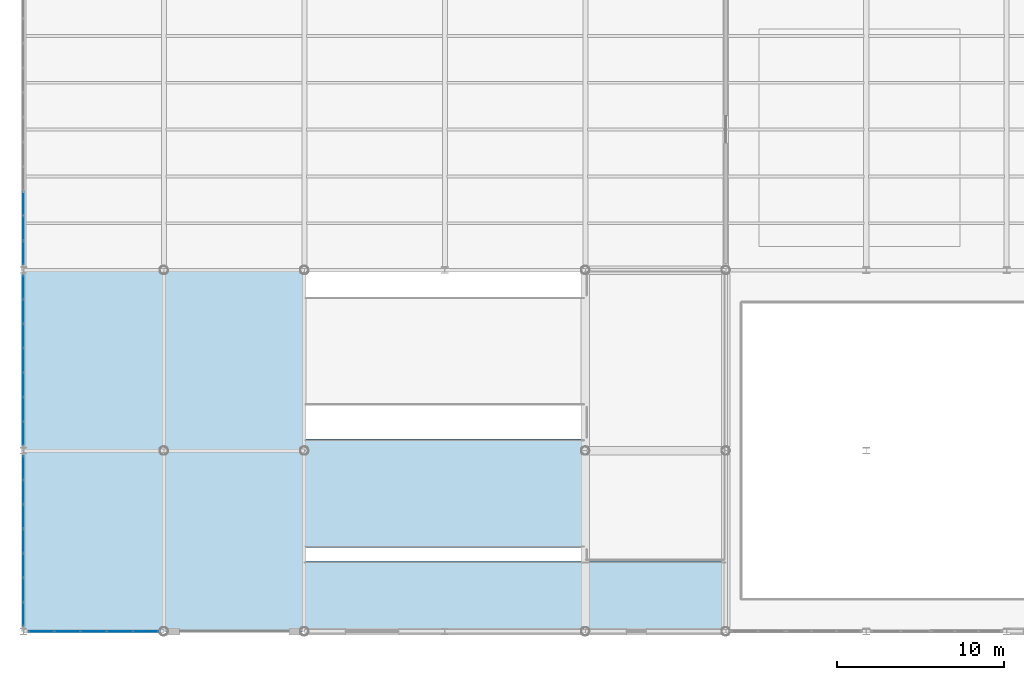
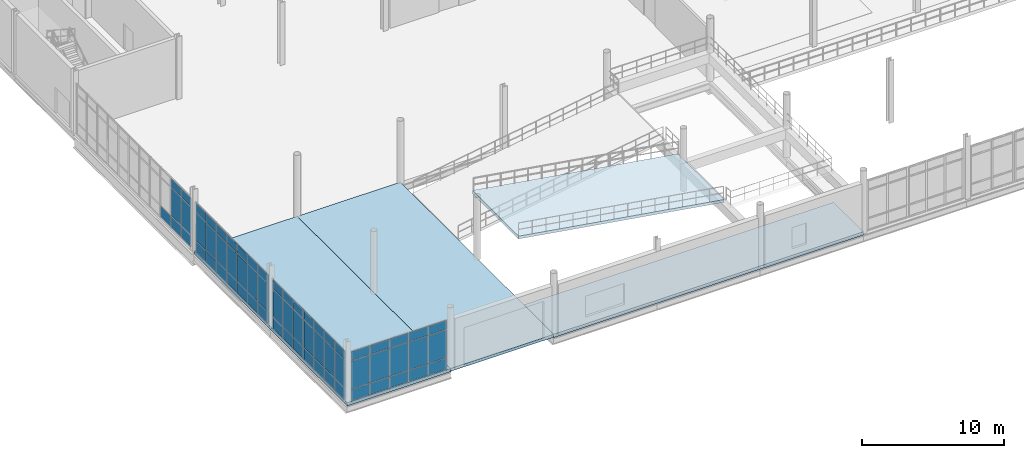
# One storey, part 76 of 111: 64 plates, 4 slabs, 4 elements without a shape of their own.
"""IFC4 building model written with IfcOpenShell, lengths in metres."""

from ifc_helpers import new_model, si_unit, direction, frame, origin, origin_2d, place, context, subcontext, project, spatial, polyline, rectangle, outline, extrude, material, layer, layer_set, type_object, element, aggregate, save


model = new_model("IFC4")

# Units and contexts
model_context = context("Model", 3, precision=1e-05, world=origin(), true_north=direction((0.0, 1.0)))
body_context = subcontext(model_context, "Body", "Model", "MODEL_VIEW")
ifc_project = project(units=[si_unit("LENGTHUNIT", "METRE"), si_unit("AREAUNIT", "SQUARE_METRE"), si_unit("VOLUMEUNIT", "CUBIC_METRE"), si_unit("PLANEANGLEUNIT", "RADIAN"), si_unit("MASSUNIT", "GRAM", prefix="KILO"), si_unit("THERMODYNAMICTEMPERATUREUNIT", "KELVIN"), si_unit("POWERUNIT", "WATT")], contexts=[model_context])

# Site, building, storey
site_placement = place(None, origin())
site = spatial("IfcSite", under=ifc_project, at=site_placement, CompositionType="ELEMENT")
building_placement = place(site_placement, origin())
building = spatial("IfcBuilding", under=site, at=building_placement, Name="Tembeka Court Mobility Hub", CompositionType="ELEMENT")
storey_placement = place(building_placement, origin())
storey = spatial("IfcBuildingStorey", under=building, at=storey_placement, Name="L00", CompositionType="ELEMENT", Elevation=0.0)

# Curtain wall, plates
ifc_material_1 = material(Name="Anodised aluminium 6063-T6", Category="aluminium")
ifc_layer_1 = layer(ifc_material_1, 0.159912109375)
ifc_layer_set_1 = layer_set([ifc_layer_1], Name="Anodised aluminium 6063-T6")
curtain_wall_type_1 = type_object("IfcCurtainWallType", Name="CW-SYS01", PredefinedType="USERDEFINED", material=ifc_layer_set_1)
curtain_wall_1_placement = place(storey_placement, origin())
curtain_wall_1 = element("IfcCurtainWall", 1, at=curtain_wall_1_placement, inside=storey, type_object=curtain_wall_type_1, Name="Unitised curtain wall CW01 (CW-L00-001)", ObjectType="UNITISED GLAZING", PredefinedType="USERDEFINED")
ifc_material_2 = material(Name="Laminated solar-control low-E glass", Category="glass")
ifc_layer_2 = layer(ifc_material_2, 0.028076171875)
ifc_layer_set_2 = layer_set([ifc_layer_2], Name="Laminated solar-control low-E glass")
plate_type_1 = type_object("IfcPlateType", Name="PL-CW01", PredefinedType="CURTAIN_PANEL", material=ifc_layer_set_2)
plate_1_placement = place(storey_placement, frame((1.080322265625, 0.0, 0.06494140625), z_axis=(0.0, 0.0, 1.0), x_axis=(1.0, 0.0, 0.0)))
plate_1 = element("IfcPlate", 2, at=plate_1_placement, type_object=plate_type_1, Name="CW01 panel 1.1", PredefinedType="CURTAIN_PANEL", context=body_context, shape_type="SweptSolid", body=[
    extrude(rectangle(XDim=1.470458984375, YDim=0.028076171875, at=origin_2d()), origin(), (0.0, 0.0, 1.0), 0.952392578125),
])
plate_2_placement = place(storey_placement, frame((1.080322265625, 0.0, 1.08251953125), z_axis=(0.0, 0.0, 1.0), x_axis=(1.0, 0.0, 0.0)))
plate_2 = element("IfcPlate", 3, at=plate_2_placement, type_object=plate_type_1, Name="CW01 panel 1.2", PredefinedType="CURTAIN_PANEL", context=body_context, shape_type="SweptSolid", body=[
    extrude(rectangle(XDim=1.470458984375, YDim=0.028076171875, at=origin_2d()), origin(), (0.0, 0.0, 1.0), 2.3701171875),
])
plate_3_placement = place(storey_placement, frame((1.080322265625, 0.0, 3.517578125), z_axis=(0.0, 0.0, 1.0), x_axis=(1.0, 0.0, 0.0)))
plate_3 = element("IfcPlate", 4, at=plate_3_placement, type_object=plate_type_1, Name="CW01 panel 1.3", PredefinedType="CURTAIN_PANEL", context=body_context, shape_type="SweptSolid", body=[
    extrude(rectangle(XDim=1.470458984375, YDim=0.028076171875, at=origin_2d()), origin(), (0.0, 0.0, 1.0), 0.75244140625),
])
plate_4_placement = place(storey_placement, frame((2.632080078125, 0.0, 0.06494140625), z_axis=(0.0, 0.0, 1.0), x_axis=(1.0, 0.0, 0.0)))
plate_4 = element("IfcPlate", 5, at=plate_4_placement, type_object=plate_type_1, Name="CW01 panel 2.1", PredefinedType="CURTAIN_PANEL", context=body_context, shape_type="SweptSolid", body=[
    extrude(rectangle(XDim=1.5029296875, YDim=0.028076171875, at=origin_2d()), origin(), (0.0, 0.0, 1.0), 0.952392578125),
])
plate_5_placement = place(storey_placement, frame((2.632080078125, 0.0, 1.08251953125), z_axis=(0.0, 0.0, 1.0), x_axis=(1.0, 0.0, 0.0)))
plate_5 = element("IfcPlate", 6, at=plate_5_placement, type_object=plate_type_1, Name="CW01 panel 2.2", PredefinedType="CURTAIN_PANEL", context=body_context, shape_type="SweptSolid", body=[
    extrude(rectangle(XDim=1.5029296875, YDim=0.028076171875, at=origin_2d()), origin(), (0.0, 0.0, 1.0), 2.3701171875),
])
plate_6_placement = place(storey_placement, frame((2.632080078125, 0.0, 3.517578125), z_axis=(0.0, 0.0, 1.0), x_axis=(1.0, 0.0, 0.0)))
plate_6 = element("IfcPlate", 7, at=plate_6_placement, type_object=plate_type_1, Name="CW01 panel 2.3", PredefinedType="CURTAIN_PANEL", context=body_context, shape_type="SweptSolid", body=[
    extrude(rectangle(XDim=1.5029296875, YDim=0.028076171875, at=origin_2d()), origin(), (0.0, 0.0, 1.0), 0.75244140625),
])
plate_7_placement = place(storey_placement, frame((4.199951171875, 0.0, 0.06494140625), z_axis=(0.0, 0.0, 1.0), x_axis=(1.0, 0.0, 0.0)))
plate_7 = element("IfcPlate", 8, at=plate_7_placement, type_object=plate_type_1, Name="CW01 panel 3.1", PredefinedType="CURTAIN_PANEL", context=body_context, shape_type="SweptSolid", body=[
    extrude(rectangle(XDim=1.5029296875, YDim=0.028076171875, at=origin_2d()), origin(), (0.0, 0.0, 1.0), 0.952392578125),
])
plate_8_placement = place(storey_placement, frame((4.199951171875, 0.0, 1.08251953125), z_axis=(0.0, 0.0, 1.0), x_axis=(1.0, 0.0, 0.0)))
plate_8 = element("IfcPlate", 9, at=plate_8_placement, type_object=plate_type_1, Name="CW01 panel 3.2", PredefinedType="CURTAIN_PANEL", context=body_context, shape_type="SweptSolid", body=[
    extrude(rectangle(XDim=1.5029296875, YDim=0.028076171875, at=origin_2d()), origin(), (0.0, 0.0, 1.0), 2.3701171875),
])
plate_9_placement = place(storey_placement, frame((4.199951171875, 0.0, 3.517578125), z_axis=(0.0, 0.0, 1.0), x_axis=(1.0, 0.0, 0.0)))
plate_9 = element("IfcPlate", 10, at=plate_9_placement, type_object=plate_type_1, Name="CW01 panel 3.3", PredefinedType="CURTAIN_PANEL", context=body_context, shape_type="SweptSolid", body=[
    extrude(rectangle(XDim=1.5029296875, YDim=0.028076171875, at=origin_2d()), origin(), (0.0, 0.0, 1.0), 0.75244140625),
])
plate_10_placement = place(storey_placement, frame((5.76806640625, 0.0, 0.06494140625), z_axis=(0.0, 0.0, 1.0), x_axis=(1.0, 0.0, 0.0)))
plate_10 = element("IfcPlate", 11, at=plate_10_placement, type_object=plate_type_1, Name="CW01 panel 4.1", PredefinedType="CURTAIN_PANEL", context=body_context, shape_type="SweptSolid", body=[
    extrude(rectangle(XDim=1.5029296875, YDim=0.028076171875, at=origin_2d()), origin(), (0.0, 0.0, 1.0), 0.952392578125),
])
plate_11_placement = place(storey_placement, frame((5.76806640625, 0.0, 1.08251953125), z_axis=(0.0, 0.0, 1.0), x_axis=(1.0, 0.0, 0.0)))
plate_11 = element("IfcPlate", 12, at=plate_11_placement, type_object=plate_type_1, Name="CW01 panel 4.2", PredefinedType="CURTAIN_PANEL", context=body_context, shape_type="SweptSolid", body=[
    extrude(rectangle(XDim=1.5029296875, YDim=0.028076171875, at=origin_2d()), origin(), (0.0, 0.0, 1.0), 2.3701171875),
])
plate_12_placement = place(storey_placement, frame((5.76806640625, 0.0, 3.517578125), z_axis=(0.0, 0.0, 1.0), x_axis=(1.0, 0.0, 0.0)))
plate_12 = element("IfcPlate", 13, at=plate_12_placement, type_object=plate_type_1, Name="CW01 panel 4.3", PredefinedType="CURTAIN_PANEL", context=body_context, shape_type="SweptSolid", body=[
    extrude(rectangle(XDim=1.5029296875, YDim=0.028076171875, at=origin_2d()), origin(), (0.0, 0.0, 1.0), 0.75244140625),
])
plate_13_placement = place(storey_placement, frame((7.31982421875, 0.0, 0.06494140625), z_axis=(0.0, 0.0, 1.0), x_axis=(1.0, 0.0, 0.0)))
plate_13 = element("IfcPlate", 14, at=plate_13_placement, type_object=plate_type_1, Name="CW01 panel 5.1", PredefinedType="CURTAIN_PANEL", context=body_context, shape_type="SweptSolid", body=[
    extrude(rectangle(XDim=1.470458984375, YDim=0.028076171875, at=origin_2d()), origin(), (0.0, 0.0, 1.0), 0.952392578125),
])
plate_14_placement = place(storey_placement, frame((7.31982421875, 0.0, 1.08251953125), z_axis=(0.0, 0.0, 1.0), x_axis=(1.0, 0.0, 0.0)))
plate_14 = element("IfcPlate", 15, at=plate_14_placement, type_object=plate_type_1, Name="CW01 panel 5.2", PredefinedType="CURTAIN_PANEL", context=body_context, shape_type="SweptSolid", body=[
    extrude(rectangle(XDim=1.470458984375, YDim=0.028076171875, at=origin_2d()), origin(), (0.0, 0.0, 1.0), 2.3701171875),
])
plate_15_placement = place(storey_placement, frame((7.31982421875, 0.0, 3.517578125), z_axis=(0.0, 0.0, 1.0), x_axis=(1.0, 0.0, 0.0)))
plate_15 = element("IfcPlate", 16, at=plate_15_placement, type_object=plate_type_1, Name="CW01 panel 5.3", PredefinedType="CURTAIN_PANEL", context=body_context, shape_type="SweptSolid", body=[
    extrude(rectangle(XDim=1.470458984375, YDim=0.028076171875, at=origin_2d()), origin(), (0.0, 0.0, 1.0), 0.75244140625),
])
aggregate(curtain_wall_1, [plate_1, plate_2, plate_3, plate_4, plate_5, plate_6, plate_7, plate_8, plate_9, plate_10, plate_11, plate_12, plate_13, plate_14, plate_15])

ifc_layer_3 = layer(ifc_material_1, 0.159912109375)
ifc_layer_set_3 = layer_set([ifc_layer_3], Name="Anodised aluminium 6063-T6")
curtain_wall_type_2 = type_object("IfcCurtainWallType", Name="CW-SYS18", PredefinedType="USERDEFINED", material=ifc_layer_set_3)
curtain_wall_2_placement = place(storey_placement, origin())
curtain_wall_2 = element("IfcCurtainWall", 17, at=curtain_wall_2_placement, inside=storey, type_object=curtain_wall_type_2, Name="Unitised curtain wall CW18 (CW-L00-022)", ObjectType="UNITISED GLAZING", PredefinedType="USERDEFINED")
plate_16_placement = place(storey_placement, frame((0.0, 1.027587890625, 0.06494140625), z_axis=(0.0, 0.0, 1.0), x_axis=(0.0, 1.0, 0.0)))
plate_16 = element("IfcPlate", 18, at=plate_16_placement, type_object=plate_type_1, Name="CW18 panel 1.1", PredefinedType="CURTAIN_PANEL", context=body_context, shape_type="SweptSolid", body=[
    extrude(rectangle(XDim=1.365478515625, YDim=0.028076171875, at=origin_2d()), origin(), (0.0, 0.0, 1.0), 0.952392578125),
])
plate_17_placement = place(storey_placement, frame((0.0, 1.027587890625, 1.08251953125), z_axis=(0.0, 0.0, 1.0), x_axis=(0.0, 1.0, 0.0)))
plate_17 = element("IfcPlate", 19, at=plate_17_placement, type_object=plate_type_1, Name="CW18 panel 1.2", PredefinedType="CURTAIN_PANEL", context=body_context, shape_type="SweptSolid", body=[
    extrude(rectangle(XDim=1.365478515625, YDim=0.028076171875, at=origin_2d()), origin(), (0.0, 0.0, 1.0), 2.3701171875),
])
plate_18_placement = place(storey_placement, frame((0.0, 1.027587890625, 3.517578125), z_axis=(0.0, 0.0, 1.0), x_axis=(0.0, 1.0, 0.0)))
plate_18 = element("IfcPlate", 20, at=plate_18_placement, type_object=plate_type_1, Name="CW18 panel 1.3", PredefinedType="CURTAIN_PANEL", context=body_context, shape_type="SweptSolid", body=[
    extrude(rectangle(XDim=1.365478515625, YDim=0.028076171875, at=origin_2d()), origin(), (0.0, 0.0, 1.0), 0.75244140625),
])
plate_19_placement = place(storey_placement, frame((0.0, 2.474365234375, 0.06494140625), z_axis=(0.0, 0.0, 1.0), x_axis=(0.0, 1.0, 0.0)))
plate_19 = element("IfcPlate", 21, at=plate_19_placement, type_object=plate_type_1, Name="CW18 panel 2.1", PredefinedType="CURTAIN_PANEL", context=body_context, shape_type="SweptSolid", body=[
    extrude(rectangle(XDim=1.39794921875, YDim=0.028076171875, at=origin_2d()), origin(), (0.0, 0.0, 1.0), 0.952392578125),
])
plate_20_placement = place(storey_placement, frame((0.0, 2.474365234375, 1.08251953125), z_axis=(0.0, 0.0, 1.0), x_axis=(0.0, 1.0, 0.0)))
plate_20 = element("IfcPlate", 22, at=plate_20_placement, type_object=plate_type_1, Name="CW18 panel 2.2", PredefinedType="CURTAIN_PANEL", context=body_context, shape_type="SweptSolid", body=[
    extrude(rectangle(XDim=1.39794921875, YDim=0.028076171875, at=origin_2d()), origin(), (0.0, 0.0, 1.0), 2.3701171875),
])
plate_21_placement = place(storey_placement, frame((0.0, 2.474365234375, 3.517578125), z_axis=(0.0, 0.0, 1.0), x_axis=(0.0, 1.0, 0.0)))
plate_21 = element("IfcPlate", 23, at=plate_21_placement, type_object=plate_type_1, Name="CW18 panel 2.3", PredefinedType="CURTAIN_PANEL", context=body_context, shape_type="SweptSolid", body=[
    extrude(rectangle(XDim=1.39794921875, YDim=0.028076171875, at=origin_2d()), origin(), (0.0, 0.0, 1.0), 0.75244140625),
])
plate_22_placement = place(storey_placement, frame((0.0, 3.937255859375, 0.06494140625), z_axis=(0.0, 0.0, 1.0), x_axis=(0.0, 1.0, 0.0)))
plate_22 = element("IfcPlate", 24, at=plate_22_placement, type_object=plate_type_1, Name="CW18 panel 3.1", PredefinedType="CURTAIN_PANEL", context=body_context, shape_type="SweptSolid", body=[
    extrude(rectangle(XDim=1.39794921875, YDim=0.028076171875, at=origin_2d()), origin(), (0.0, 0.0, 1.0), 0.952392578125),
])
plate_23_placement = place(storey_placement, frame((0.0, 3.937255859375, 1.08251953125), z_axis=(0.0, 0.0, 1.0), x_axis=(0.0, 1.0, 0.0)))
plate_23 = element("IfcPlate", 25, at=plate_23_placement, type_object=plate_type_1, Name="CW18 panel 3.2", PredefinedType="CURTAIN_PANEL", context=body_context, shape_type="SweptSolid", body=[
    extrude(rectangle(XDim=1.39794921875, YDim=0.028076171875, at=origin_2d()), origin(), (0.0, 0.0, 1.0), 2.3701171875),
])
plate_24_placement = place(storey_placement, frame((0.0, 3.937255859375, 3.517578125), z_axis=(0.0, 0.0, 1.0), x_axis=(0.0, 1.0, 0.0)))
plate_24 = element("IfcPlate", 26, at=plate_24_placement, type_object=plate_type_1, Name="CW18 panel 3.3", PredefinedType="CURTAIN_PANEL", context=body_context, shape_type="SweptSolid", body=[
    extrude(rectangle(XDim=1.39794921875, YDim=0.028076171875, at=origin_2d()), origin(), (0.0, 0.0, 1.0), 0.75244140625),
])
plate_25_placement = place(storey_placement, frame((0.0, 5.39990234375, 0.06494140625), z_axis=(0.0, 0.0, 1.0), x_axis=(0.0, 1.0, 0.0)))
plate_25 = element("IfcPlate", 27, at=plate_25_placement, type_object=plate_type_1, Name="CW18 panel 4.1", PredefinedType="CURTAIN_PANEL", context=body_context, shape_type="SweptSolid", body=[
    extrude(rectangle(XDim=1.39794921875, YDim=0.028076171875, at=origin_2d()), origin(), (0.0, 0.0, 1.0), 0.952392578125),
])
plate_26_placement = place(storey_placement, frame((0.0, 5.39990234375, 1.08251953125), z_axis=(0.0, 0.0, 1.0), x_axis=(0.0, 1.0, 0.0)))
plate_26 = element("IfcPlate", 28, at=plate_26_placement, type_object=plate_type_1, Name="CW18 panel 4.2", PredefinedType="CURTAIN_PANEL", context=body_context, shape_type="SweptSolid", body=[
    extrude(rectangle(XDim=1.39794921875, YDim=0.028076171875, at=origin_2d()), origin(), (0.0, 0.0, 1.0), 2.3701171875),
])
plate_27_placement = place(storey_placement, frame((0.0, 5.39990234375, 3.517578125), z_axis=(0.0, 0.0, 1.0), x_axis=(0.0, 1.0, 0.0)))
plate_27 = element("IfcPlate", 29, at=plate_27_placement, type_object=plate_type_1, Name="CW18 panel 4.3", PredefinedType="CURTAIN_PANEL", context=body_context, shape_type="SweptSolid", body=[
    extrude(rectangle(XDim=1.39794921875, YDim=0.028076171875, at=origin_2d()), origin(), (0.0, 0.0, 1.0), 0.75244140625),
])
plate_28_placement = place(storey_placement, frame((0.0, 6.86279296875, 0.06494140625), z_axis=(0.0, 0.0, 1.0), x_axis=(0.0, 1.0, 0.0)))
plate_28 = element("IfcPlate", 30, at=plate_28_placement, type_object=plate_type_1, Name="CW18 panel 5.1", PredefinedType="CURTAIN_PANEL", context=body_context, shape_type="SweptSolid", body=[
    extrude(rectangle(XDim=1.39794921875, YDim=0.028076171875, at=origin_2d()), origin(), (0.0, 0.0, 1.0), 0.952392578125),
])
plate_29_placement = place(storey_placement, frame((0.0, 6.86279296875, 1.08251953125), z_axis=(0.0, 0.0, 1.0), x_axis=(0.0, 1.0, 0.0)))
plate_29 = element("IfcPlate", 31, at=plate_29_placement, type_object=plate_type_1, Name="CW18 panel 5.2", PredefinedType="CURTAIN_PANEL", context=body_context, shape_type="SweptSolid", body=[
    extrude(rectangle(XDim=1.39794921875, YDim=0.028076171875, at=origin_2d()), origin(), (0.0, 0.0, 1.0), 2.3701171875),
])
plate_30_placement = place(storey_placement, frame((0.0, 6.86279296875, 3.517578125), z_axis=(0.0, 0.0, 1.0), x_axis=(0.0, 1.0, 0.0)))
plate_30 = element("IfcPlate", 32, at=plate_30_placement, type_object=plate_type_1, Name="CW18 panel 5.3", PredefinedType="CURTAIN_PANEL", context=body_context, shape_type="SweptSolid", body=[
    extrude(rectangle(XDim=1.39794921875, YDim=0.028076171875, at=origin_2d()), origin(), (0.0, 0.0, 1.0), 0.75244140625),
])
plate_31_placement = place(storey_placement, frame((0.0, 8.32568359375, 0.06494140625), z_axis=(0.0, 0.0, 1.0), x_axis=(0.0, 1.0, 0.0)))
plate_31 = element("IfcPlate", 33, at=plate_31_placement, type_object=plate_type_1, Name="CW18 panel 6.1", PredefinedType="CURTAIN_PANEL", context=body_context, shape_type="SweptSolid", body=[
    extrude(rectangle(XDim=1.39794921875, YDim=0.028076171875, at=origin_2d()), origin(), (0.0, 0.0, 1.0), 0.952392578125),
])
plate_32_placement = place(storey_placement, frame((0.0, 8.32568359375, 1.08251953125), z_axis=(0.0, 0.0, 1.0), x_axis=(0.0, 1.0, 0.0)))
plate_32 = element("IfcPlate", 34, at=plate_32_placement, type_object=plate_type_1, Name="CW18 panel 6.2", PredefinedType="CURTAIN_PANEL", context=body_context, shape_type="SweptSolid", body=[
    extrude(rectangle(XDim=1.39794921875, YDim=0.028076171875, at=origin_2d()), origin(), (0.0, 0.0, 1.0), 2.3701171875),
])
plate_33_placement = place(storey_placement, frame((0.0, 8.32568359375, 3.517578125), z_axis=(0.0, 0.0, 1.0), x_axis=(0.0, 1.0, 0.0)))
plate_33 = element("IfcPlate", 35, at=plate_33_placement, type_object=plate_type_1, Name="CW18 panel 6.3", PredefinedType="CURTAIN_PANEL", context=body_context, shape_type="SweptSolid", body=[
    extrude(rectangle(XDim=1.39794921875, YDim=0.028076171875, at=origin_2d()), origin(), (0.0, 0.0, 1.0), 0.75244140625),
])
plate_34_placement = place(storey_placement, frame((0.0, 9.772216796875, 0.06494140625), z_axis=(0.0, 0.0, 1.0), x_axis=(0.0, 1.0, 0.0)))
plate_34 = element("IfcPlate", 36, at=plate_34_placement, type_object=plate_type_1, Name="CW18 panel 7.1", PredefinedType="CURTAIN_PANEL", context=body_context, shape_type="SweptSolid", body=[
    extrude(rectangle(XDim=1.365478515625, YDim=0.028076171875, at=origin_2d()), origin(), (0.0, 0.0, 1.0), 0.952392578125),
])
plate_35_placement = place(storey_placement, frame((0.0, 9.772216796875, 1.08251953125), z_axis=(0.0, 0.0, 1.0), x_axis=(0.0, 1.0, 0.0)))
plate_35 = element("IfcPlate", 37, at=plate_35_placement, type_object=plate_type_1, Name="CW18 panel 7.2", PredefinedType="CURTAIN_PANEL", context=body_context, shape_type="SweptSolid", body=[
    extrude(rectangle(XDim=1.365478515625, YDim=0.028076171875, at=origin_2d()), origin(), (0.0, 0.0, 1.0), 2.3701171875),
])
plate_36_placement = place(storey_placement, frame((0.0, 9.772216796875, 3.517578125), z_axis=(0.0, 0.0, 1.0), x_axis=(0.0, 1.0, 0.0)))
plate_36 = element("IfcPlate", 38, at=plate_36_placement, type_object=plate_type_1, Name="CW18 panel 7.3", PredefinedType="CURTAIN_PANEL", context=body_context, shape_type="SweptSolid", body=[
    extrude(rectangle(XDim=1.365478515625, YDim=0.028076171875, at=origin_2d()), origin(), (0.0, 0.0, 1.0), 0.75244140625),
])
aggregate(curtain_wall_2, [plate_16, plate_17, plate_18, plate_19, plate_20, plate_21, plate_22, plate_23, plate_24, plate_25, plate_26, plate_27, plate_28, plate_29, plate_30, plate_31, plate_32, plate_33, plate_34, plate_35, plate_36])

ifc_layer_4 = layer(ifc_material_1, 0.159912109375)
ifc_layer_set_4 = layer_set([ifc_layer_4], Name="Anodised aluminium 6063-T6")
curtain_wall_type_3 = type_object("IfcCurtainWallType", Name="CW-SYS19", PredefinedType="USERDEFINED", material=ifc_layer_set_4)
curtain_wall_3_placement = place(storey_placement, origin())
curtain_wall_3 = element("IfcCurtainWall", 39, at=curtain_wall_3_placement, inside=storey, type_object=curtain_wall_type_3, Name="Unitised curtain wall CW19 (CW-L00-026)", ObjectType="UNITISED GLAZING", PredefinedType="USERDEFINED")
plate_37_placement = place(storey_placement, frame((0.0, 22.634521484375, 0.06494140625), z_axis=(0.0, 0.0, 1.0), x_axis=(0.0, 1.0, 0.0)))
plate_37 = element("IfcPlate", 40, at=plate_37_placement, type_object=plate_type_1, Name="CW19 panel 1.1", PredefinedType="CURTAIN_PANEL", context=body_context, shape_type="SweptSolid", body=[
    extrude(rectangle(XDim=1.37890625, YDim=0.028076171875, at=origin_2d()), origin(), (0.0, 0.0, 1.0), 0.952392578125),
])
plate_38_placement = place(storey_placement, frame((0.0, 22.634521484375, 1.08251953125), z_axis=(0.0, 0.0, 1.0), x_axis=(0.0, 1.0, 0.0)))
plate_38 = element("IfcPlate", 41, at=plate_38_placement, type_object=plate_type_1, Name="CW19 panel 1.2", PredefinedType="CURTAIN_PANEL", context=body_context, shape_type="SweptSolid", body=[
    extrude(rectangle(XDim=1.37890625, YDim=0.028076171875, at=origin_2d()), origin(), (0.0, 0.0, 1.0), 2.3701171875),
])
plate_39_placement = place(storey_placement, frame((0.0, 22.634521484375, 3.517578125), z_axis=(0.0, 0.0, 1.0), x_axis=(0.0, 1.0, 0.0)))
plate_39 = element("IfcPlate", 42, at=plate_39_placement, type_object=plate_type_1, Name="CW19 panel 1.3", PredefinedType="CURTAIN_PANEL", context=body_context, shape_type="SweptSolid", body=[
    extrude(rectangle(XDim=1.37890625, YDim=0.028076171875, at=origin_2d()), origin(), (0.0, 0.0, 1.0), 0.75244140625),
])
plate_40_placement = place(storey_placement, frame((0.0, 24.094482421875, 0.06494140625), z_axis=(0.0, 0.0, 1.0), x_axis=(0.0, 1.0, 0.0)))
plate_40 = element("IfcPlate", 43, at=plate_40_placement, type_object=plate_type_1, Name="CW19 panel 2.1", PredefinedType="CURTAIN_PANEL", context=body_context, shape_type="SweptSolid", body=[
    extrude(rectangle(XDim=1.411376953125, YDim=0.028076171875, at=origin_2d()), origin(), (0.0, 0.0, 1.0), 0.952392578125),
])
plate_41_placement = place(storey_placement, frame((0.0, 24.094482421875, 1.08251953125), z_axis=(0.0, 0.0, 1.0), x_axis=(0.0, 1.0, 0.0)))
plate_41 = element("IfcPlate", 44, at=plate_41_placement, type_object=plate_type_1, Name="CW19 panel 2.2", PredefinedType="CURTAIN_PANEL", context=body_context, shape_type="SweptSolid", body=[
    extrude(rectangle(XDim=1.411376953125, YDim=0.028076171875, at=origin_2d()), origin(), (0.0, 0.0, 1.0), 2.3701171875),
])
plate_42_placement = place(storey_placement, frame((0.0, 24.094482421875, 3.517578125), z_axis=(0.0, 0.0, 1.0), x_axis=(0.0, 1.0, 0.0)))
plate_42 = element("IfcPlate", 45, at=plate_42_placement, type_object=plate_type_1, Name="CW19 panel 2.3", PredefinedType="CURTAIN_PANEL", context=body_context, shape_type="SweptSolid", body=[
    extrude(rectangle(XDim=1.411376953125, YDim=0.028076171875, at=origin_2d()), origin(), (0.0, 0.0, 1.0), 0.75244140625),
])
plate_43_placement = place(storey_placement, frame((0.0, 25.57080078125, 0.06494140625), z_axis=(0.0, 0.0, 1.0), x_axis=(0.0, 1.0, 0.0)))
plate_43 = element("IfcPlate", 46, at=plate_43_placement, type_object=plate_type_1, Name="CW19 panel 3.1", PredefinedType="CURTAIN_PANEL", context=body_context, shape_type="SweptSolid", body=[
    extrude(rectangle(XDim=1.411376953125, YDim=0.028076171875, at=origin_2d()), origin(), (0.0, 0.0, 1.0), 0.952392578125),
])
aggregate(curtain_wall_3, [plate_37, plate_38, plate_39, plate_40, plate_41, plate_42, plate_43])

curtain_wall_4_placement = place(storey_placement, origin())
curtain_wall_4 = element("IfcCurtainWall", 47, at=curtain_wall_4_placement, inside=storey, type_object=curtain_wall_type_2, Name="Unitised curtain wall CW18 (CW-L00-024)", ObjectType="UNITISED GLAZING", PredefinedType="USERDEFINED")
ifc_material_3 = material(Name="Insulated aluminium spandrel panel", Category="aluminium")
ifc_layer_5 = layer(ifc_material_3, 0.052001953125)
ifc_layer_set_5 = layer_set([ifc_layer_5], Name="Insulated aluminium spandrel panel")
plate_type_2 = type_object("IfcPlateType", Name="PL-CW02", PredefinedType="CURTAIN_PANEL", material=ifc_layer_set_5)
plate_44_placement = place(storey_placement, frame((0.0, 11.82763671875, 0.06494140625), z_axis=(0.0, 0.0, 1.0), x_axis=(0.0, 1.0, 0.0)))
plate_44 = element("IfcPlate", 48, at=plate_44_placement, type_object=plate_type_2, Name="CW18 panel 1.1", PredefinedType="CURTAIN_PANEL", context=body_context, shape_type="SweptSolid", body=[
    extrude(rectangle(XDim=1.365478515625, YDim=0.052001953125, at=origin_2d()), origin(), (0.0, 0.0, 1.0), 0.952392578125),
])
plate_45_placement = place(storey_placement, frame((0.0, 11.82763671875, 1.08251953125), z_axis=(0.0, 0.0, 1.0), x_axis=(0.0, 1.0, 0.0)))
plate_45 = element("IfcPlate", 49, at=plate_45_placement, type_object=plate_type_2, Name="CW18 panel 1.2", PredefinedType="CURTAIN_PANEL", context=body_context, shape_type="SweptSolid", body=[
    extrude(rectangle(XDim=1.365478515625, YDim=0.052001953125, at=origin_2d()), origin(), (0.0, 0.0, 1.0), 2.3701171875),
])
plate_46_placement = place(storey_placement, frame((0.0, 11.82763671875, 3.517578125), z_axis=(0.0, 0.0, 1.0), x_axis=(0.0, 1.0, 0.0)))
plate_46 = element("IfcPlate", 50, at=plate_46_placement, type_object=plate_type_2, Name="CW18 panel 1.3", PredefinedType="CURTAIN_PANEL", context=body_context, shape_type="SweptSolid", body=[
    extrude(rectangle(XDim=1.365478515625, YDim=0.052001953125, at=origin_2d()), origin(), (0.0, 0.0, 1.0), 0.75244140625),
])
plate_47_placement = place(storey_placement, frame((0.0, 13.274169921875, 0.06494140625), z_axis=(0.0, 0.0, 1.0), x_axis=(0.0, 1.0, 0.0)))
plate_47 = element("IfcPlate", 51, at=plate_47_placement, type_object=plate_type_2, Name="CW18 panel 2.1", PredefinedType="CURTAIN_PANEL", context=body_context, shape_type="SweptSolid", body=[
    extrude(rectangle(XDim=1.39794921875, YDim=0.052001953125, at=origin_2d()), origin(), (0.0, 0.0, 1.0), 0.952392578125),
])
plate_48_placement = place(storey_placement, frame((0.0, 13.274169921875, 1.08251953125), z_axis=(0.0, 0.0, 1.0), x_axis=(0.0, 1.0, 0.0)))
plate_48 = element("IfcPlate", 52, at=plate_48_placement, type_object=plate_type_2, Name="CW18 panel 2.2", PredefinedType="CURTAIN_PANEL", context=body_context, shape_type="SweptSolid", body=[
    extrude(rectangle(XDim=1.39794921875, YDim=0.052001953125, at=origin_2d()), origin(), (0.0, 0.0, 1.0), 2.3701171875),
])
plate_49_placement = place(storey_placement, frame((0.0, 13.274169921875, 3.517578125), z_axis=(0.0, 0.0, 1.0), x_axis=(0.0, 1.0, 0.0)))
plate_49 = element("IfcPlate", 53, at=plate_49_placement, type_object=plate_type_2, Name="CW18 panel 2.3", PredefinedType="CURTAIN_PANEL", context=body_context, shape_type="SweptSolid", body=[
    extrude(rectangle(XDim=1.39794921875, YDim=0.052001953125, at=origin_2d()), origin(), (0.0, 0.0, 1.0), 0.75244140625),
])
plate_50_placement = place(storey_placement, frame((0.0, 14.737060546875, 0.06494140625), z_axis=(0.0, 0.0, 1.0), x_axis=(0.0, 1.0, 0.0)))
plate_50 = element("IfcPlate", 54, at=plate_50_placement, type_object=plate_type_2, Name="CW18 panel 3.1", PredefinedType="CURTAIN_PANEL", context=body_context, shape_type="SweptSolid", body=[
    extrude(rectangle(XDim=1.39794921875, YDim=0.052001953125, at=origin_2d()), origin(), (0.0, 0.0, 1.0), 0.952392578125),
])
plate_51_placement = place(storey_placement, frame((0.0, 14.737060546875, 1.08251953125), z_axis=(0.0, 0.0, 1.0), x_axis=(0.0, 1.0, 0.0)))
plate_51 = element("IfcPlate", 55, at=plate_51_placement, type_object=plate_type_2, Name="CW18 panel 3.2", PredefinedType="CURTAIN_PANEL", context=body_context, shape_type="SweptSolid", body=[
    extrude(rectangle(XDim=1.39794921875, YDim=0.052001953125, at=origin_2d()), origin(), (0.0, 0.0, 1.0), 2.3701171875),
])
plate_52_placement = place(storey_placement, frame((0.0, 14.737060546875, 3.517578125), z_axis=(0.0, 0.0, 1.0), x_axis=(0.0, 1.0, 0.0)))
plate_52 = element("IfcPlate", 56, at=plate_52_placement, type_object=plate_type_2, Name="CW18 panel 3.3", PredefinedType="CURTAIN_PANEL", context=body_context, shape_type="SweptSolid", body=[
    extrude(rectangle(XDim=1.39794921875, YDim=0.052001953125, at=origin_2d()), origin(), (0.0, 0.0, 1.0), 0.75244140625),
])
plate_53_placement = place(storey_placement, frame((0.0, 16.199951171875, 0.06494140625), z_axis=(0.0, 0.0, 1.0), x_axis=(0.0, 1.0, 0.0)))
plate_53 = element("IfcPlate", 57, at=plate_53_placement, type_object=plate_type_2, Name="CW18 panel 4.1", PredefinedType="CURTAIN_PANEL", context=body_context, shape_type="SweptSolid", body=[
    extrude(rectangle(XDim=1.39794921875, YDim=0.052001953125, at=origin_2d()), origin(), (0.0, 0.0, 1.0), 0.952392578125),
])
plate_54_placement = place(storey_placement, frame((0.0, 16.199951171875, 1.08251953125), z_axis=(0.0, 0.0, 1.0), x_axis=(0.0, 1.0, 0.0)))
plate_54 = element("IfcPlate", 58, at=plate_54_placement, type_object=plate_type_2, Name="CW18 panel 4.2", PredefinedType="CURTAIN_PANEL", context=body_context, shape_type="SweptSolid", body=[
    extrude(rectangle(XDim=1.39794921875, YDim=0.052001953125, at=origin_2d()), origin(), (0.0, 0.0, 1.0), 2.3701171875),
])
plate_55_placement = place(storey_placement, frame((0.0, 16.199951171875, 3.517578125), z_axis=(0.0, 0.0, 1.0), x_axis=(0.0, 1.0, 0.0)))
plate_55 = element("IfcPlate", 59, at=plate_55_placement, type_object=plate_type_2, Name="CW18 panel 4.3", PredefinedType="CURTAIN_PANEL", context=body_context, shape_type="SweptSolid", body=[
    extrude(rectangle(XDim=1.39794921875, YDim=0.052001953125, at=origin_2d()), origin(), (0.0, 0.0, 1.0), 0.75244140625),
])
plate_56_placement = place(storey_placement, frame((0.0, 17.662841796875, 0.06494140625), z_axis=(0.0, 0.0, 1.0), x_axis=(0.0, 1.0, 0.0)))
plate_56 = element("IfcPlate", 60, at=plate_56_placement, type_object=plate_type_2, Name="CW18 panel 5.1", PredefinedType="CURTAIN_PANEL", context=body_context, shape_type="SweptSolid", body=[
    extrude(rectangle(XDim=1.39794921875, YDim=0.052001953125, at=origin_2d()), origin(), (0.0, 0.0, 1.0), 0.952392578125),
])
plate_57_placement = place(storey_placement, frame((0.0, 17.662841796875, 1.08251953125), z_axis=(0.0, 0.0, 1.0), x_axis=(0.0, 1.0, 0.0)))
plate_57 = element("IfcPlate", 61, at=plate_57_placement, type_object=plate_type_2, Name="CW18 panel 5.2", PredefinedType="CURTAIN_PANEL", context=body_context, shape_type="SweptSolid", body=[
    extrude(rectangle(XDim=1.39794921875, YDim=0.052001953125, at=origin_2d()), origin(), (0.0, 0.0, 1.0), 2.3701171875),
])
plate_58_placement = place(storey_placement, frame((0.0, 17.662841796875, 3.517578125), z_axis=(0.0, 0.0, 1.0), x_axis=(0.0, 1.0, 0.0)))
plate_58 = element("IfcPlate", 62, at=plate_58_placement, type_object=plate_type_2, Name="CW18 panel 5.3", PredefinedType="CURTAIN_PANEL", context=body_context, shape_type="SweptSolid", body=[
    extrude(rectangle(XDim=1.39794921875, YDim=0.052001953125, at=origin_2d()), origin(), (0.0, 0.0, 1.0), 0.75244140625),
])
plate_59_placement = place(storey_placement, frame((0.0, 19.125732421875, 0.06494140625), z_axis=(0.0, 0.0, 1.0), x_axis=(0.0, 1.0, 0.0)))
plate_59 = element("IfcPlate", 63, at=plate_59_placement, type_object=plate_type_2, Name="CW18 panel 6.1", PredefinedType="CURTAIN_PANEL", context=body_context, shape_type="SweptSolid", body=[
    extrude(rectangle(XDim=1.39794921875, YDim=0.052001953125, at=origin_2d()), origin(), (0.0, 0.0, 1.0), 0.952392578125),
])
plate_60_placement = place(storey_placement, frame((0.0, 19.125732421875, 1.08251953125), z_axis=(0.0, 0.0, 1.0), x_axis=(0.0, 1.0, 0.0)))
plate_60 = element("IfcPlate", 64, at=plate_60_placement, type_object=plate_type_2, Name="CW18 panel 6.2", PredefinedType="CURTAIN_PANEL", context=body_context, shape_type="SweptSolid", body=[
    extrude(rectangle(XDim=1.39794921875, YDim=0.052001953125, at=origin_2d()), origin(), (0.0, 0.0, 1.0), 2.3701171875),
])
plate_61_placement = place(storey_placement, frame((0.0, 19.125732421875, 3.517578125), z_axis=(0.0, 0.0, 1.0), x_axis=(0.0, 1.0, 0.0)))
plate_61 = element("IfcPlate", 65, at=plate_61_placement, type_object=plate_type_2, Name="CW18 panel 6.3", PredefinedType="CURTAIN_PANEL", context=body_context, shape_type="SweptSolid", body=[
    extrude(rectangle(XDim=1.39794921875, YDim=0.052001953125, at=origin_2d()), origin(), (0.0, 0.0, 1.0), 0.75244140625),
])
plate_62_placement = place(storey_placement, frame((0.0, 20.572265625, 0.06494140625), z_axis=(0.0, 0.0, 1.0), x_axis=(0.0, 1.0, 0.0)))
plate_62 = element("IfcPlate", 66, at=plate_62_placement, type_object=plate_type_2, Name="CW18 panel 7.1", PredefinedType="CURTAIN_PANEL", context=body_context, shape_type="SweptSolid", body=[
    extrude(rectangle(XDim=1.365478515625, YDim=0.052001953125, at=origin_2d()), origin(), (0.0, 0.0, 1.0), 0.952392578125),
])
plate_63_placement = place(storey_placement, frame((0.0, 20.572265625, 1.08251953125), z_axis=(0.0, 0.0, 1.0), x_axis=(0.0, 1.0, 0.0)))
plate_63 = element("IfcPlate", 67, at=plate_63_placement, type_object=plate_type_2, Name="CW18 panel 7.2", PredefinedType="CURTAIN_PANEL", context=body_context, shape_type="SweptSolid", body=[
    extrude(rectangle(XDim=1.365478515625, YDim=0.052001953125, at=origin_2d()), origin(), (0.0, 0.0, 1.0), 2.3701171875),
])
plate_64_placement = place(storey_placement, frame((0.0, 20.572265625, 3.517578125), z_axis=(0.0, 0.0, 1.0), x_axis=(0.0, 1.0, 0.0)))
plate_64 = element("IfcPlate", 68, at=plate_64_placement, type_object=plate_type_2, Name="CW18 panel 7.3", PredefinedType="CURTAIN_PANEL", context=body_context, shape_type="SweptSolid", body=[
    extrude(rectangle(XDim=1.365478515625, YDim=0.052001953125, at=origin_2d()), origin(), (0.0, 0.0, 1.0), 0.75244140625),
])
aggregate(curtain_wall_4, [plate_44, plate_45, plate_46, plate_47, plate_48, plate_49, plate_50, plate_51, plate_52, plate_53, plate_54, plate_55, plate_56, plate_57, plate_58, plate_59, plate_60, plate_61, plate_62, plate_63, plate_64])

# Slabs
ifc_material_4 = material(Name="Concrete C40/50", Category="concrete")
ifc_layer_6 = layer(ifc_material_4, 0.280029296875)
ifc_layer_set_6 = layer_set([ifc_layer_6], Name="Concrete C40/50")
slab_type_1 = type_object("IfcSlabType", Name="SL-FL01", PredefinedType="FLOOR", material=ifc_layer_set_6)
slab_1_placement = place(storey_placement, frame((0.0, 0.0, -0.280029296875)))
element("IfcSlab", 69, at=slab_1_placement, inside=storey, type_object=slab_type_1, Name="L00 South-West ramp gallery slab", PredefinedType="FLOOR", context=body_context, shape_type="SweptSolid", body=[
    extrude(outline(polyline([(0.0, 0.0), (8.39990234375, 0.0), (8.39990234375, 21.60009765625), (0.0, 21.60009765625), (0.0, 0.0)])), origin(), (0.0, 0.0, 1.0), 0.280029296875),
])
slab_2_placement = place(storey_placement, frame((0.0, 0.0, -0.280029296875)))
element("IfcSlab", 70, at=slab_2_placement, inside=storey, type_object=slab_type_1, Name="L00 South ramp portal threshold slab", PredefinedType="FLOOR", context=body_context, shape_type="SweptSolid", body=[
    extrude(outline(polyline([(16.800048828125, 0.0), (42.0, 0.0), (42.0, 4.199951171875), (16.800048828125, 4.199951171875), (16.800048828125, 0.0)])), origin(), (0.0, 0.0, 1.0), 0.280029296875),
])
ifc_layer_7 = layer(ifc_material_4, 0.199951171875)
ifc_layer_set_7 = layer_set([ifc_layer_7], Name="Concrete C40/50")
slab_type_2 = type_object("IfcSlabType", Name="SL-LD01", PredefinedType="LANDING", material=ifc_layer_set_7)
slab_3_placement = place(storey_placement, frame((0.0, 0.0, -0.25)))
element("IfcSlab", 71, at=slab_3_placement, inside=storey, type_object=slab_type_2, Name="Car park vehicle ramp South R2 L00 west landing", PredefinedType="LANDING", context=body_context, shape_type="SweptSolid", body=[
    extrude(outline(polyline([(8.39990234375, 0.0), (16.800048828125, 0.0), (16.800048828125, 21.60009765625), (8.39990234375, 21.60009765625), (8.39990234375, 0.0)])), origin(), (0.0, 0.0, 1.0), 0.25),
])
ifc_layer_8 = layer(ifc_material_4, 0.235107421875)
ifc_layer_set_8 = layer_set([ifc_layer_8], Name="Concrete C40/50")
slab_type_3 = type_object("IfcSlabType", Name="SL-RP01", PredefinedType="FLOOR", material=ifc_layer_set_8)
slab_4_placement = place(storey_placement, frame((33.56005859375, 5.0, 2.699951171875), z_axis=(0.159415532957, 0.0, 0.98721157198), x_axis=(-0.98721157198, 0.0, 0.159415532957)))
element("IfcSlab", 72, at=slab_4_placement, inside=storey, type_object=slab_type_3, Name="Car park vehicle ramp South R2 L00 structural ramp slab 2", PredefinedType="FLOOR", context=body_context, shape_type="SweptSolid", body=[
    extrude(outline(polyline([(0.0, 0.0), (16.936562716320793, 0.0), (16.936562716320793, -6.5), (0.0, -6.5), (0.0, 0.0)])), origin(), (0.0, 0.0, -1.0), 0.235107421875),
])

save(model, "model.ifc")
